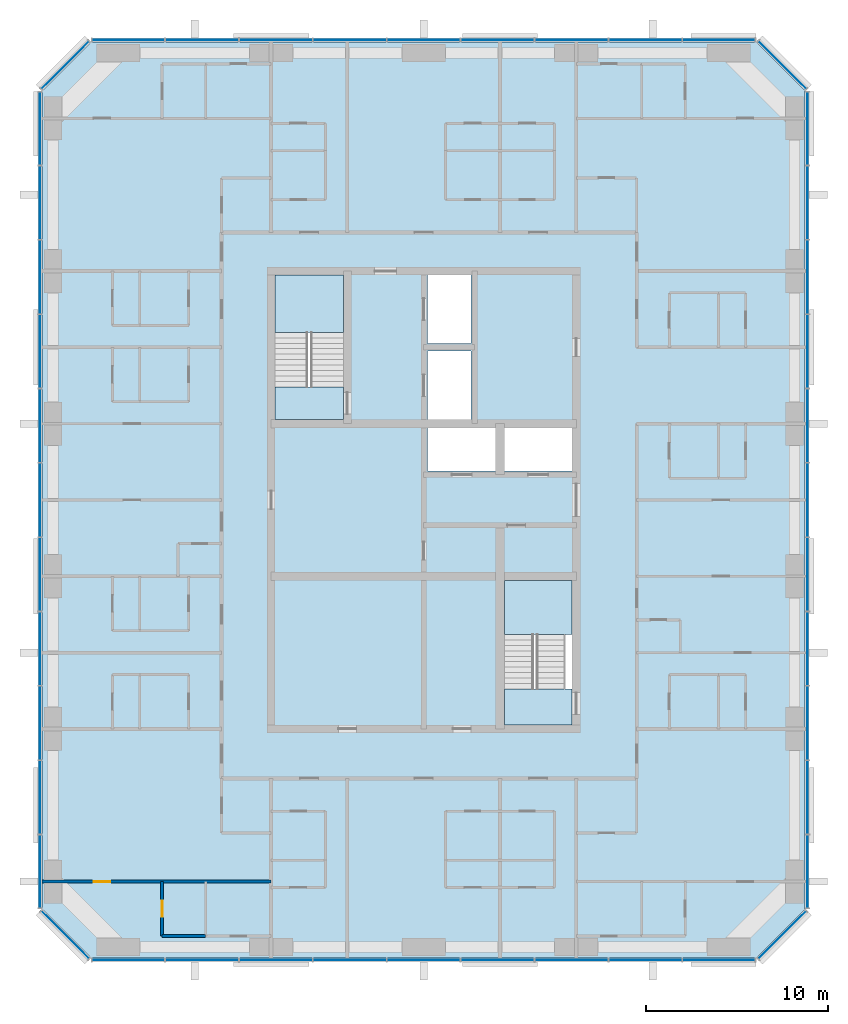
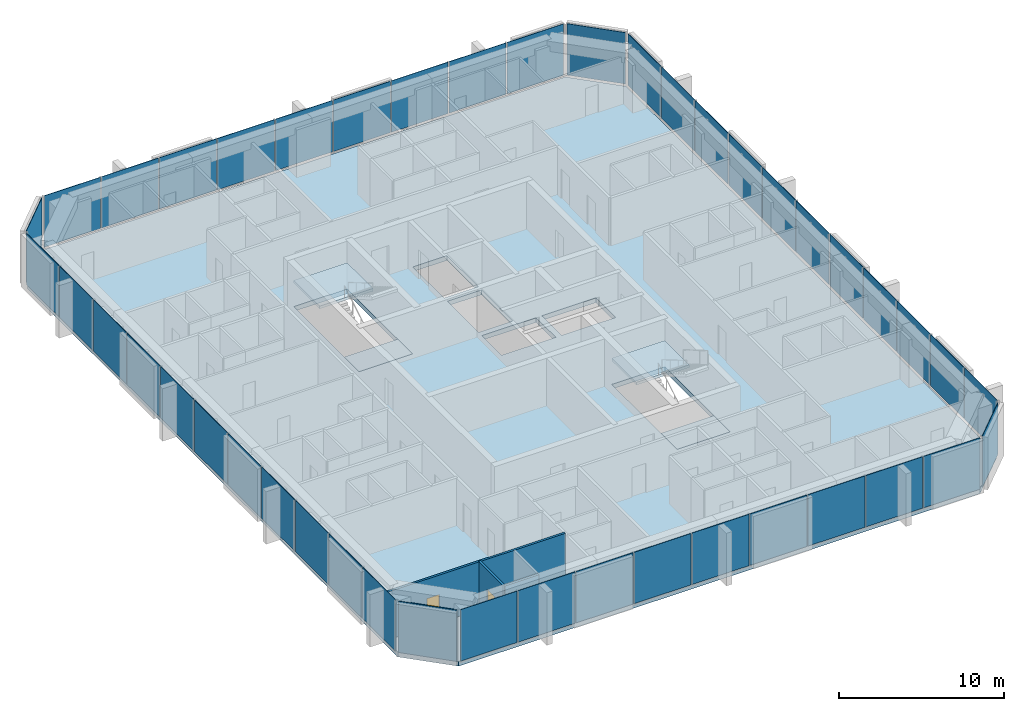
# One storey, part 6 of 12: 44 plates, 5 slabs, 3 walls, 2 doors, 2 openings, 10 elements without a shape of their own.
"""IFC4 building model written with IfcOpenShell, lengths in metres."""

import ifcopenshell
import ifcopenshell.guid

model = None  # the IFC model being written
_history = None  # IfcOwnerHistory: only IFC2X3 demands one
_inside = {}  # id of a spatial element -> (the spatial element, [elements in it])
_under = {}  # id of a project, library or spatial element -> (it, [spatial elements below it])
_declared = {}  # id of a project -> (the project, [libraries it declares])
_typed = {}  # id of a type object -> (the type object, [elements of that type])
_made_of = {}  # id of a material, layer set ... -> (it, [elements and type objects made of it])


def new_model(schema):
    """Start an empty IFC model of exactly this schema.

    Asked for "IFC4X3", IfcOpenShell would pick the latest addendum, in which some entities
    have other attributes; the version numbers below select the first issue.
    IFC2X3 requires an IfcOwnerHistory on every rooted entity: one is made here for all.
    """
    global model, _history
    if schema == "IFC4X3":
        model = ifcopenshell.file(schema_version=(4, 3, 0, 0))
    else:
        model = ifcopenshell.file(schema=schema)
    _inside.clear()
    _under.clear()
    _declared.clear()
    _typed.clear()
    _made_of.clear()
    _history = None
    if model.schema == "IFC2X3":
        org = make("IfcOrganization", Name="unknown")
        user = make(
            "IfcPersonAndOrganization",
            ThePerson=make("IfcPerson", FamilyName="unknown"),
            TheOrganization=org,
        )
        app = make(
            "IfcApplication",
            ApplicationDeveloper=org,
            Version="unknown",
            ApplicationFullName="unknown",
            ApplicationIdentifier="unknown",
        )
        _history = make(
            "IfcOwnerHistory",
            OwningUser=user,
            OwningApplication=app,
            ChangeAction="ADDED",
            CreationDate=0,
        )
    return model


def make(cls, **values):
    """One entity of the class cls with the attributes given. An attribute that is None is left unset."""
    return model.create_entity(
        cls, **{name: value for name, value in values.items() if value is not None}
    )


def rooted(cls, **values):
    """An entity with a GlobalId (a new one), such as an element, a storey or a relation."""
    return make(cls, GlobalId=ifcopenshell.guid.new(), OwnerHistory=_history, **values)


def si_unit(unit_type, name, prefix=None):
    """IfcSIUnit, for example si_unit("LENGTHUNIT", "METRE", prefix="MILLI")."""
    return make("IfcSIUnit", UnitType=unit_type, Prefix=prefix, Name=name)


def assignment(units):
    """IfcUnitAssignment: the units of a project."""
    return None if units is None else make("IfcUnitAssignment", Units=units)


def point(xyz):
    """IfcCartesianPoint."""
    return None if xyz is None else make("IfcCartesianPoint", Coordinates=xyz)


def direction(xyz):
    """IfcDirection."""
    return None if xyz is None else make("IfcDirection", DirectionRatios=xyz)


def frame(location, z_axis=None, x_axis=None):
    """IfcAxis2Placement3D, a coordinate frame: its origin and axes. An axis left out is left unset."""
    return make(
        "IfcAxis2Placement3D",
        Location=point(location),
        Axis=direction(z_axis),
        RefDirection=direction(x_axis),
    )


def frame_2d(location, x_axis=None):
    """IfcAxis2Placement2D, a coordinate frame in the plane: its origin and x axis."""
    return make(
        "IfcAxis2Placement2D", Location=point(location), RefDirection=direction(x_axis)
    )


def origin():
    """The frame at (0, 0, 0) with its axes left unset."""
    return frame((0.0, 0.0, 0.0))


def origin_2d():
    """The frame at (0, 0) in the plane with its x axis left unset."""
    return frame_2d((0.0, 0.0))


def place(relative_to, where):
    """IfcLocalPlacement: puts the frame where relative to a parent placement (None: the world)."""
    return make(
        "IfcLocalPlacement", PlacementRelTo=relative_to, RelativePlacement=where
    )


def context(
    kind, dimensions, precision=None, world=None, true_north=None, identifier=None
):
    """IfcGeometricRepresentationContext, for example the 3D "Model" context."""
    return make(
        "IfcGeometricRepresentationContext",
        ContextIdentifier=identifier,
        ContextType=kind,
        CoordinateSpaceDimension=dimensions,
        Precision=precision,
        WorldCoordinateSystem=world,
        TrueNorth=true_north,
    )


def subcontext(parent, identifier, kind, view, scale=None):
    """IfcGeometricRepresentationSubContext, for example "Body" below "Model"."""
    return make(
        "IfcGeometricRepresentationSubContext",
        ContextIdentifier=identifier,
        ContextType=kind,
        ParentContext=parent,
        TargetScale=scale,
        TargetView=view,
    )


def project(units=None, contexts=None):
    """IfcProject with its units and contexts."""
    return rooted(
        "IfcProject",
        Name="project",
        RepresentationContexts=contexts,
        UnitsInContext=assignment(units),
    )


def spatial(cls, under=None, at=None, **own):
    """A site, building, storey or space (cls), placed at a placement, below another one or the project."""
    s = rooted(cls, ObjectPlacement=at, **own)
    if under is not None:
        _under.setdefault(under.id(), (under, []))[1].append(s)
    return s


def polyline(points):
    """IfcPolyline through the points."""
    return make("IfcPolyline", Points=[point(p) for p in points])


def profile(cls, at=None, kind="AREA", **sizes):
    """A parametric profile (cls). Its sizes go by their IFC names, for example OverallWidth=200.0."""
    return make(cls, ProfileType=kind, Position=at, **sizes)


def rectangle(**sizes):
    """IfcRectangleProfileDef."""
    return profile("IfcRectangleProfileDef", **sizes)


def outline(outer, holes=None, kind="AREA"):
    """IfcArbitraryClosedProfileDef: a profile drawn as a closed curve; with holes, ...WithVoids."""
    if holes is None:
        return make("IfcArbitraryClosedProfileDef", ProfileType=kind, OuterCurve=outer)
    return make(
        "IfcArbitraryProfileDefWithVoids",
        ProfileType=kind,
        OuterCurve=outer,
        InnerCurves=holes,
    )


def extrude(swept, where, along, depth):
    """IfcExtrudedAreaSolid: the profile swept, set in the frame where, extruded along a direction by depth."""
    return make(
        "IfcExtrudedAreaSolid",
        SweptArea=swept,
        Position=where,
        ExtrudedDirection=direction(along),
        Depth=depth,
    )


def shape(context_of_items, identifier, shape_type, items):
    """IfcShapeRepresentation: the items that make up one representation, for example the "Body"."""
    return make(
        "IfcShapeRepresentation",
        ContextOfItems=context_of_items,
        RepresentationIdentifier=identifier,
        RepresentationType=shape_type,
        Items=items,
    )


def material(Name=None, Category=None):
    """IfcMaterial."""
    return make("IfcMaterial", Name=Name, Category=Category)


def layer(
    of_material, thickness, ventilated=None, Name=None, Category=None, Priority=None
):
    """IfcMaterialLayer: one layer of a wall or slab, of a material (None: an air gap)."""
    return make(
        "IfcMaterialLayer",
        Material=of_material,
        LayerThickness=thickness,
        IsVentilated=ventilated,
        Name=Name,
        Category=Category,
        Priority=Priority,
    )


def layer_set(layers, Name=None):
    """IfcMaterialLayerSet."""
    return make("IfcMaterialLayerSet", MaterialLayers=layers, LayerSetName=Name)


def made_of(thing, what):
    """Note that an element or type object is made of a material, layer set ...; save() writes the relation."""
    if what is not None:
        _made_of.setdefault(what.id(), (what, []))[1].append(thing)
    return thing


def type_object(cls, material=None, **own):
    """A type object (cls), such as IfcWallType, which elements share."""
    return made_of(rooted(cls, **own), material)


def element(
    cls,
    number,
    at=None,
    inside=None,
    cuts=None,
    type_object=None,
    material=None,
    context=None,
    identifier="Body",
    shape_type=None,
    held_by="IfcProductDefinitionShape",
    body=None,
    shapes=None,
    **own,
):
    """One element of the class cls, such as IfcWall. Its Tag is "e" and its number.

    at: its placement. inside: the storey or other place that contains it. cuts: it is an
    opening in that element (IfcRelVoidsElement). A single representation is given by context,
    identifier, shape_type and body (its items); several are given by shapes. held_by: the class
    of the entity that holds the representations. save() writes the other relations.
    """
    e = rooted(cls, Tag="e%d" % number, ObjectPlacement=at, **own)
    if body is not None:
        shapes = [shape(context, identifier, shape_type, body)]
    if shapes is not None:
        e.Representation = make(held_by, Representations=shapes)
    if inside is not None:
        _inside.setdefault(inside.id(), (inside, []))[1].append(e)
    if cuts is not None:
        rooted(
            "IfcRelVoidsElement", RelatingBuildingElement=cuts, RelatedOpeningElement=e
        )
    if type_object is not None:
        _typed.setdefault(type_object.id(), (type_object, []))[1].append(e)
    return made_of(e, material)


def fill(opening, filler):
    """IfcRelFillsElement: the door or window that sits in an opening."""
    return rooted(
        "IfcRelFillsElement",
        RelatingOpeningElement=opening,
        RelatedBuildingElement=filler,
    )


def aggregate(whole, parts):
    """IfcRelAggregates: a whole, such as a stair, and the parts it consists of."""
    return rooted("IfcRelAggregates", RelatingObject=whole, RelatedObjects=parts)


def save(model, path):
    """Write the relations noted so far, then the file.

    IfcRelAggregates (storeys below a building ...), IfcRelContainedInSpatialStructure (elements
    in a storey), IfcRelDefinesByType, IfcRelAssociatesMaterial and IfcRelDeclares: one each for
    every whole, place, type object, material and project.
    """
    for whole, parts in _under.values():
        aggregate(whole, parts)
    for where, things in _inside.values():
        rooted(
            "IfcRelContainedInSpatialStructure",
            RelatedElements=things,
            RelatingStructure=where,
        )
    for kind, things in _typed.values():
        rooted("IfcRelDefinesByType", RelatedObjects=things, RelatingType=kind)
    for what, things in _made_of.values():
        rooted("IfcRelAssociatesMaterial", RelatedObjects=things, RelatingMaterial=what)
    for by, libraries in _declared.values():
        rooted("IfcRelDeclares", RelatingContext=by, RelatedDefinitions=libraries)
    model.write(path)


model = new_model("IFC4")

# Units and contexts
model_context = context("Model", 3, precision=1e-05, world=origin(), true_north=direction((0.0, 1.0)))
body_context = subcontext(model_context, "Body", "Model", "MODEL_VIEW")
ifc_project = project(units=[si_unit("LENGTHUNIT", "METRE"), si_unit("AREAUNIT", "SQUARE_METRE"), si_unit("VOLUMEUNIT", "CUBIC_METRE"), si_unit("PLANEANGLEUNIT", "RADIAN"), si_unit("MASSUNIT", "GRAM", prefix="KILO")], contexts=[model_context])

# Site, building, storey
site_placement = place(None, origin())
site = spatial("IfcSite", under=ifc_project, at=site_placement, CompositionType="ELEMENT")
building_placement = place(site_placement, origin())
building = spatial("IfcBuilding", under=site, at=building_placement, Name="Dunama Terrace Hotel", CompositionType="ELEMENT")
storey_placement = place(building_placement, frame((0.0, 0.0, 268.5)))
storey = spatial("IfcBuildingStorey", under=building, at=storey_placement, Name="L69", CompositionType="ELEMENT", Elevation=268.5)

# Curtain wall, plates
ifc_material_1 = material(Name="Aluminium curtain wall system", Category="aluminium")
curtain_wall_type = type_object("IfcCurtainWallType", Name="Unitised fritted glass wall CW-D", PredefinedType="NOTDEFINED", material=ifc_material_1)
curtain_wall_1_placement = place(storey_placement, origin())
curtain_wall_1 = element("IfcCurtainWall", 1, at=curtain_wall_1_placement, inside=storey, type_object=curtain_wall_type, Name="Unitised fritted glass wall CW-D L69", PredefinedType="NOTDEFINED")
ifc_material_2 = material(Name="Laminated glass", Category="glass")
ifc_layer_1 = layer(ifc_material_2, 0.035888671875)
ifc_layer_set_1 = layer_set([ifc_layer_1], Name="CWD clear glass panel")
plate_type_1 = type_object("IfcPlateType", Name="CWD clear glass panel", PredefinedType="CURTAIN_PANEL", material=ifc_layer_set_1)
plate_1_placement = place(storey_placement, frame((17.35107421875, 4.080078125, 0.0849609375), z_axis=(0.0, 0.0, 1.0), x_axis=(1.0, 0.0, 0.0)))
plate_1 = element("IfcPlate", 2, at=plate_1_placement, type_object=plate_type_1, Name="CWD clear glass panel", PredefinedType="CURTAIN_PANEL", context=body_context, shape_type="SweptSolid", body=[
    extrude(rectangle(XDim=3.961669921875, YDim=0.035888671875, at=origin_2d()), origin(), (0.0, 0.0, 1.0), 3.81494140625),
])
plate_2_placement = place(storey_placement, frame((29.532958984375, 4.080078125, 0.0849609375), z_axis=(0.0, 0.0, 1.0), x_axis=(1.0, 0.0, 0.0)))
plate_2 = element("IfcPlate", 3, at=plate_2_placement, type_object=plate_type_1, Name="CWD clear glass panel", PredefinedType="CURTAIN_PANEL", context=body_context, shape_type="SweptSolid", body=[
    extrude(rectangle(XDim=3.99658203125, YDim=0.035888671875, at=origin_2d()), origin(), (0.0, 0.0, 1.0), 3.81494140625),
])
plate_3_placement = place(storey_placement, frame((41.73291015625, 4.080078125, 0.0849609375), z_axis=(0.0, 0.0, 1.0), x_axis=(1.0, 0.0, 0.0)))
plate_3 = element("IfcPlate", 4, at=plate_3_placement, type_object=plate_type_1, Name="CWD clear glass panel", PredefinedType="CURTAIN_PANEL", context=body_context, shape_type="SweptSolid", body=[
    extrude(rectangle(XDim=3.99658203125, YDim=0.035888671875, at=origin_2d()), origin(), (0.0, 0.0, 1.0), 3.81494140625),
])

# Curtain wall, plate
curtain_wall_2_placement = place(storey_placement, origin())
curtain_wall_2 = element("IfcCurtainWall", 5, at=curtain_wall_2_placement, inside=storey, type_object=curtain_wall_type, Name="Unitised fritted glass wall CW-D L69", PredefinedType="NOTDEFINED")
plate_4_placement = place(storey_placement, frame((53.3349609375, 5.465087890625, 0.0849609375), z_axis=(0.0, 0.0, 1.0), x_axis=(0.707106781187, 0.707106781187, 0.0)))
plate_4 = element("IfcPlate", 6, at=plate_4_placement, type_object=plate_type_1, Name="CWD clear glass panel", PredefinedType="CURTAIN_PANEL", context=body_context, shape_type="SweptSolid", body=[
    extrude(rectangle(XDim=3.678466796875, YDim=0.035888671875, at=origin_2d()), origin(), (0.0, 0.0, 1.0), 3.81494140625),
])
aggregate(curtain_wall_2, [plate_4])

# Curtain wall, plates
curtain_wall_3_placement = place(storey_placement, origin())
curtain_wall_3 = element("IfcCurtainWall", 7, at=curtain_wall_3_placement, inside=storey, type_object=curtain_wall_type, Name="Unitised fritted glass wall CW-D L69", PredefinedType="NOTDEFINED")
plate_5_placement = place(storey_placement, frame((54.719970703125, 17.126953125, 0.0849609375), z_axis=(0.0, 0.0, 1.0), x_axis=(0.0, 1.0, 0.0)))
plate_5 = element("IfcPlate", 8, at=plate_5_placement, type_object=plate_type_1, Name="CWD clear glass panel", PredefinedType="CURTAIN_PANEL", context=body_context, shape_type="SweptSolid", body=[
    extrude(rectangle(XDim=4.02099609375, YDim=0.035888671875, at=origin_2d()), origin(), (0.0, 0.0, 1.0), 3.81494140625),
])
plate_6_placement = place(storey_placement, frame((54.719970703125, 29.39990234375, 0.0849609375), z_axis=(0.0, 0.0, 1.0), x_axis=(0.0, 1.0, 0.0)))
plate_6 = element("IfcPlate", 9, at=plate_6_placement, type_object=plate_type_1, Name="CWD clear glass panel", PredefinedType="CURTAIN_PANEL", context=body_context, shape_type="SweptSolid", body=[
    extrude(rectangle(XDim=4.02099609375, YDim=0.035888671875, at=origin_2d()), origin(), (0.0, 0.0, 1.0), 3.81494140625),
])
plate_7_placement = place(storey_placement, frame((54.719970703125, 41.673095703125, 0.0849609375), z_axis=(0.0, 0.0, 1.0), x_axis=(0.0, 1.0, 0.0)))
plate_7 = element("IfcPlate", 10, at=plate_7_placement, type_object=plate_type_1, Name="CWD clear glass panel", PredefinedType="CURTAIN_PANEL", context=body_context, shape_type="SweptSolid", body=[
    extrude(rectangle(XDim=4.02099609375, YDim=0.035888671875, at=origin_2d()), origin(), (0.0, 0.0, 1.0), 3.81494140625),
])

# Curtain wall, plate
curtain_wall_4_placement = place(storey_placement, origin())
curtain_wall_4 = element("IfcCurtainWall", 11, at=curtain_wall_4_placement, inside=storey, type_object=curtain_wall_type, Name="Unitised fritted glass wall CW-D L69", PredefinedType="NOTDEFINED")
plate_8_placement = place(storey_placement, frame((53.3349609375, 53.3349609375, 0.0849609375), z_axis=(0.0, 0.0, 1.0), x_axis=(-0.707106781187, 0.707106781187, 0.0)))
plate_8 = element("IfcPlate", 12, at=plate_8_placement, type_object=plate_type_1, Name="CWD clear glass panel", PredefinedType="CURTAIN_PANEL", context=body_context, shape_type="SweptSolid", body=[
    extrude(rectangle(XDim=3.678466796875, YDim=0.035888671875, at=origin_2d()), origin(), (0.0, 0.0, 1.0), 3.81494140625),
])
aggregate(curtain_wall_4, [plate_8])

# Curtain wall, plates
curtain_wall_5_placement = place(storey_placement, origin())
curtain_wall_5 = element("IfcCurtainWall", 13, at=curtain_wall_5_placement, inside=storey, type_object=curtain_wall_type, Name="Unitised fritted glass wall CW-D L69", PredefinedType="NOTDEFINED")
plate_9_placement = place(storey_placement, frame((41.73291015625, 54.719970703125, 0.0849609375), z_axis=(0.0, 0.0, 1.0), x_axis=(-1.0, 0.0, 0.0)))
plate_9 = element("IfcPlate", 14, at=plate_9_placement, type_object=plate_type_1, Name="CWD clear glass panel", PredefinedType="CURTAIN_PANEL", context=body_context, shape_type="SweptSolid", body=[
    extrude(rectangle(XDim=3.99658203125, YDim=0.035888671875, at=origin_2d()), origin(), (0.0, 0.0, 1.0), 3.81494140625),
])
plate_10_placement = place(storey_placement, frame((29.532958984375, 54.719970703125, 0.0849609375), z_axis=(0.0, 0.0, 1.0), x_axis=(-1.0, 0.0, 0.0)))
plate_10 = element("IfcPlate", 15, at=plate_10_placement, type_object=plate_type_1, Name="CWD clear glass panel", PredefinedType="CURTAIN_PANEL", context=body_context, shape_type="SweptSolid", body=[
    extrude(rectangle(XDim=3.99658203125, YDim=0.035888671875, at=origin_2d()), origin(), (0.0, 0.0, 1.0), 3.81494140625),
])
plate_11_placement = place(storey_placement, frame((17.35107421875, 54.719970703125, 0.0849609375), z_axis=(0.0, 0.0, 1.0), x_axis=(-1.0, 0.0, 0.0)))
plate_11 = element("IfcPlate", 16, at=plate_11_placement, type_object=plate_type_1, Name="CWD clear glass panel", PredefinedType="CURTAIN_PANEL", context=body_context, shape_type="SweptSolid", body=[
    extrude(rectangle(XDim=3.961669921875, YDim=0.035888671875, at=origin_2d()), origin(), (0.0, 0.0, 1.0), 3.81494140625),
])

curtain_wall_6_placement = place(storey_placement, origin())
curtain_wall_6 = element("IfcCurtainWall", 17, at=curtain_wall_6_placement, inside=storey, type_object=curtain_wall_type, Name="Unitised fritted glass wall CW-D L69", PredefinedType="NOTDEFINED")
plate_12_placement = place(storey_placement, frame((12.47998046875, 45.763916015625, 0.0849609375), z_axis=(0.0, 0.0, 1.0), x_axis=(0.0, -1.0, 0.0)))
plate_12 = element("IfcPlate", 18, at=plate_12_placement, type_object=plate_type_1, Name="CWD clear glass panel", PredefinedType="CURTAIN_PANEL", context=body_context, shape_type="SweptSolid", body=[
    extrude(rectangle(XDim=4.02099609375, YDim=0.035888671875, at=origin_2d()), origin(), (0.0, 0.0, 1.0), 3.81494140625),
])
plate_13_placement = place(storey_placement, frame((12.47998046875, 33.490966796875, 0.0849609375), z_axis=(0.0, 0.0, 1.0), x_axis=(0.0, -1.0, 0.0)))
plate_13 = element("IfcPlate", 19, at=plate_13_placement, type_object=plate_type_1, Name="CWD clear glass panel", PredefinedType="CURTAIN_PANEL", context=body_context, shape_type="SweptSolid", body=[
    extrude(rectangle(XDim=4.02099609375, YDim=0.035888671875, at=origin_2d()), origin(), (0.0, 0.0, 1.0), 3.81494140625),
])
plate_14_placement = place(storey_placement, frame((12.47998046875, 21.218017578125, 0.0849609375), z_axis=(0.0, 0.0, 1.0), x_axis=(0.0, -1.0, 0.0)))
plate_14 = element("IfcPlate", 20, at=plate_14_placement, type_object=plate_type_1, Name="CWD clear glass panel", PredefinedType="CURTAIN_PANEL", context=body_context, shape_type="SweptSolid", body=[
    extrude(rectangle(XDim=4.02099609375, YDim=0.035888671875, at=origin_2d()), origin(), (0.0, 0.0, 1.0), 3.81494140625),
])
plate_15_placement = place(storey_placement, frame((12.47998046875, 8.962890625, 0.0849609375), z_axis=(0.0, 0.0, 1.0), x_axis=(0.0, -1.0, 0.0)))
plate_15 = element("IfcPlate", 21, at=plate_15_placement, type_object=plate_type_1, Name="CWD clear glass panel", PredefinedType="CURTAIN_PANEL", context=body_context, shape_type="SweptSolid", body=[
    extrude(rectangle(XDim=3.98583984375, YDim=0.035888671875, at=origin_2d()), origin(), (0.0, 0.0, 1.0), 3.81494140625),
])

# Plate
ifc_material_3 = material(Name="Fritted laminated glass", Category="glass")
ifc_layer_2 = layer(ifc_material_3, 0.035888671875)
ifc_layer_set_2 = layer_set([ifc_layer_2], Name="CWD fritted glass panel")
plate_type_2 = type_object("IfcPlateType", Name="CWD fritted glass panel", PredefinedType="CURTAIN_PANEL", material=ifc_layer_set_2)
plate_16_placement = place(storey_placement, frame((25.467041015625, 4.080078125, 0.0849609375), z_axis=(0.0, 0.0, 1.0), x_axis=(1.0, 0.0, 0.0)))
plate_16 = element("IfcPlate", 22, at=plate_16_placement, type_object=plate_type_2, Name="CWD fritted glass panel", PredefinedType="CURTAIN_PANEL", context=body_context, shape_type="SweptSolid", body=[
    extrude(rectangle(XDim=3.99658203125, YDim=0.035888671875, at=origin_2d()), origin(), (0.0, 0.0, 1.0), 3.81494140625),
])

plate_17_placement = place(storey_placement, frame((37.6669921875, 4.080078125, 0.0849609375), z_axis=(0.0, 0.0, 1.0), x_axis=(1.0, 0.0, 0.0)))
plate_17 = element("IfcPlate", 23, at=plate_17_placement, type_object=plate_type_2, Name="CWD fritted glass panel", PredefinedType="CURTAIN_PANEL", context=body_context, shape_type="SweptSolid", body=[
    extrude(rectangle(XDim=3.99658203125, YDim=0.035888671875, at=origin_2d()), origin(), (0.0, 0.0, 1.0), 3.81494140625),
])

plate_18_placement = place(storey_placement, frame((49.84912109375, 4.080078125, 0.0849609375), z_axis=(0.0, 0.0, 1.0), x_axis=(1.0, 0.0, 0.0)))
plate_18 = element("IfcPlate", 24, at=plate_18_placement, type_object=plate_type_2, Name="CWD fritted glass panel", PredefinedType="CURTAIN_PANEL", context=body_context, shape_type="SweptSolid", body=[
    extrude(rectangle(XDim=3.961669921875, YDim=0.035888671875, at=origin_2d()), origin(), (0.0, 0.0, 1.0), 3.81494140625),
])

plate_19_placement = place(storey_placement, frame((54.719970703125, 13.035888671875, 0.0849609375), z_axis=(0.0, 0.0, 1.0), x_axis=(0.0, 1.0, 0.0)))
plate_19 = element("IfcPlate", 25, at=plate_19_placement, type_object=plate_type_2, Name="CWD fritted glass panel", PredefinedType="CURTAIN_PANEL", context=body_context, shape_type="SweptSolid", body=[
    extrude(rectangle(XDim=4.02099609375, YDim=0.035888671875, at=origin_2d()), origin(), (0.0, 0.0, 1.0), 3.81494140625),
])

plate_20_placement = place(storey_placement, frame((54.719970703125, 25.30908203125, 0.0849609375), z_axis=(0.0, 0.0, 1.0), x_axis=(0.0, 1.0, 0.0)))
plate_20 = element("IfcPlate", 26, at=plate_20_placement, type_object=plate_type_2, Name="CWD fritted glass panel", PredefinedType="CURTAIN_PANEL", context=body_context, shape_type="SweptSolid", body=[
    extrude(rectangle(XDim=4.02099609375, YDim=0.035888671875, at=origin_2d()), origin(), (0.0, 0.0, 1.0), 3.81494140625),
])

plate_21_placement = place(storey_placement, frame((54.719970703125, 37.58203125, 0.0849609375), z_axis=(0.0, 0.0, 1.0), x_axis=(0.0, 1.0, 0.0)))
plate_21 = element("IfcPlate", 27, at=plate_21_placement, type_object=plate_type_2, Name="CWD fritted glass panel", PredefinedType="CURTAIN_PANEL", context=body_context, shape_type="SweptSolid", body=[
    extrude(rectangle(XDim=4.02099609375, YDim=0.035888671875, at=origin_2d()), origin(), (0.0, 0.0, 1.0), 3.81494140625),
])

plate_22_placement = place(storey_placement, frame((54.719970703125, 49.8369140625, 0.0849609375), z_axis=(0.0, 0.0, 1.0), x_axis=(0.0, 1.0, 0.0)))
plate_22 = element("IfcPlate", 28, at=plate_22_placement, type_object=plate_type_2, Name="CWD fritted glass panel", PredefinedType="CURTAIN_PANEL", context=body_context, shape_type="SweptSolid", body=[
    extrude(rectangle(XDim=3.98583984375, YDim=0.035888671875, at=origin_2d()), origin(), (0.0, 0.0, 1.0), 3.81494140625),
])

plate_23_placement = place(storey_placement, frame((45.800048828125, 54.719970703125, 0.0849609375), z_axis=(0.0, 0.0, 1.0), x_axis=(-1.0, 0.0, 0.0)))
plate_23 = element("IfcPlate", 29, at=plate_23_placement, type_object=plate_type_2, Name="CWD fritted glass panel", PredefinedType="CURTAIN_PANEL", context=body_context, shape_type="SweptSolid", body=[
    extrude(rectangle(XDim=3.99658203125, YDim=0.035888671875, at=origin_2d()), origin(), (0.0, 0.0, 1.0), 3.81494140625),
])

plate_24_placement = place(storey_placement, frame((33.60009765625, 54.719970703125, 0.0849609375), z_axis=(0.0, 0.0, 1.0), x_axis=(-1.0, 0.0, 0.0)))
plate_24 = element("IfcPlate", 30, at=plate_24_placement, type_object=plate_type_2, Name="CWD fritted glass panel", PredefinedType="CURTAIN_PANEL", context=body_context, shape_type="SweptSolid", body=[
    extrude(rectangle(XDim=3.99658203125, YDim=0.035888671875, at=origin_2d()), origin(), (0.0, 0.0, 1.0), 3.81494140625),
])

plate_25_placement = place(storey_placement, frame((21.39990234375, 54.719970703125, 0.0849609375), z_axis=(0.0, 0.0, 1.0), x_axis=(-1.0, 0.0, 0.0)))
plate_25 = element("IfcPlate", 31, at=plate_25_placement, type_object=plate_type_2, Name="CWD fritted glass panel", PredefinedType="CURTAIN_PANEL", context=body_context, shape_type="SweptSolid", body=[
    extrude(rectangle(XDim=3.99658203125, YDim=0.035888671875, at=origin_2d()), origin(), (0.0, 0.0, 1.0), 3.81494140625),
])

plate_26_placement = place(storey_placement, frame((12.47998046875, 49.8369140625, 0.0849609375), z_axis=(0.0, 0.0, 1.0), x_axis=(0.0, -1.0, 0.0)))
plate_26 = element("IfcPlate", 32, at=plate_26_placement, type_object=plate_type_2, Name="CWD fritted glass panel", PredefinedType="CURTAIN_PANEL", context=body_context, shape_type="SweptSolid", body=[
    extrude(rectangle(XDim=3.98583984375, YDim=0.035888671875, at=origin_2d()), origin(), (0.0, 0.0, 1.0), 3.81494140625),
])

plate_27_placement = place(storey_placement, frame((12.47998046875, 37.58203125, 0.0849609375), z_axis=(0.0, 0.0, 1.0), x_axis=(0.0, -1.0, 0.0)))
plate_27 = element("IfcPlate", 33, at=plate_27_placement, type_object=plate_type_2, Name="CWD fritted glass panel", PredefinedType="CURTAIN_PANEL", context=body_context, shape_type="SweptSolid", body=[
    extrude(rectangle(XDim=4.02099609375, YDim=0.035888671875, at=origin_2d()), origin(), (0.0, 0.0, 1.0), 3.81494140625),
])

plate_28_placement = place(storey_placement, frame((12.47998046875, 25.30908203125, 0.0849609375), z_axis=(0.0, 0.0, 1.0), x_axis=(0.0, -1.0, 0.0)))
plate_28 = element("IfcPlate", 34, at=plate_28_placement, type_object=plate_type_2, Name="CWD fritted glass panel", PredefinedType="CURTAIN_PANEL", context=body_context, shape_type="SweptSolid", body=[
    extrude(rectangle(XDim=4.02099609375, YDim=0.035888671875, at=origin_2d()), origin(), (0.0, 0.0, 1.0), 3.81494140625),
])

plate_29_placement = place(storey_placement, frame((12.47998046875, 13.035888671875, 0.0849609375), z_axis=(0.0, 0.0, 1.0), x_axis=(0.0, -1.0, 0.0)))
plate_29 = element("IfcPlate", 35, at=plate_29_placement, type_object=plate_type_2, Name="CWD fritted glass panel", PredefinedType="CURTAIN_PANEL", context=body_context, shape_type="SweptSolid", body=[
    extrude(rectangle(XDim=4.02099609375, YDim=0.035888671875, at=origin_2d()), origin(), (0.0, 0.0, 1.0), 3.81494140625),
])

ifc_material_4 = material(Name="Laminated glass", Category="glass")
ifc_layer_3 = layer(ifc_material_4, 0.035888671875)
ifc_layer_set_3 = layer_set([ifc_layer_3], Name="CWD operable glass panel")
plate_type_3 = type_object("IfcPlateType", Name="CWD operable glass panel", PredefinedType="CURTAIN_PANEL", material=ifc_layer_set_3)
plate_30_placement = place(storey_placement, frame((21.39990234375, 4.080078125, 0.0849609375), z_axis=(0.0, 0.0, 1.0), x_axis=(1.0, 0.0, 0.0)))
plate_30 = element("IfcPlate", 36, at=plate_30_placement, type_object=plate_type_3, Name="CWD operable glass panel", PredefinedType="CURTAIN_PANEL", context=body_context, shape_type="SweptSolid", body=[
    extrude(rectangle(XDim=3.99658203125, YDim=0.035888671875, at=origin_2d()), origin(), (0.0, 0.0, 1.0), 3.81494140625),
])

plate_31_placement = place(storey_placement, frame((33.60009765625, 4.080078125, 0.0849609375), z_axis=(0.0, 0.0, 1.0), x_axis=(1.0, 0.0, 0.0)))
plate_31 = element("IfcPlate", 37, at=plate_31_placement, type_object=plate_type_3, Name="CWD operable glass panel", PredefinedType="CURTAIN_PANEL", context=body_context, shape_type="SweptSolid", body=[
    extrude(rectangle(XDim=3.99658203125, YDim=0.035888671875, at=origin_2d()), origin(), (0.0, 0.0, 1.0), 3.81494140625),
])

plate_32_placement = place(storey_placement, frame((45.800048828125, 4.080078125, 0.0849609375), z_axis=(0.0, 0.0, 1.0), x_axis=(1.0, 0.0, 0.0)))
plate_32 = element("IfcPlate", 38, at=plate_32_placement, type_object=plate_type_3, Name="CWD operable glass panel", PredefinedType="CURTAIN_PANEL", context=body_context, shape_type="SweptSolid", body=[
    extrude(rectangle(XDim=3.99658203125, YDim=0.035888671875, at=origin_2d()), origin(), (0.0, 0.0, 1.0), 3.81494140625),
])

aggregate(curtain_wall_1, [plate_1, plate_30, plate_16, plate_2, plate_31, plate_17, plate_3, plate_32, plate_18])

plate_33_placement = place(storey_placement, frame((54.719970703125, 8.962890625, 0.0849609375), z_axis=(0.0, 0.0, 1.0), x_axis=(0.0, 1.0, 0.0)))
plate_33 = element("IfcPlate", 39, at=plate_33_placement, type_object=plate_type_3, Name="CWD operable glass panel", PredefinedType="CURTAIN_PANEL", context=body_context, shape_type="SweptSolid", body=[
    extrude(rectangle(XDim=3.98583984375, YDim=0.035888671875, at=origin_2d()), origin(), (0.0, 0.0, 1.0), 3.81494140625),
])

plate_34_placement = place(storey_placement, frame((54.719970703125, 21.218017578125, 0.0849609375), z_axis=(0.0, 0.0, 1.0), x_axis=(0.0, 1.0, 0.0)))
plate_34 = element("IfcPlate", 40, at=plate_34_placement, type_object=plate_type_3, Name="CWD operable glass panel", PredefinedType="CURTAIN_PANEL", context=body_context, shape_type="SweptSolid", body=[
    extrude(rectangle(XDim=4.02099609375, YDim=0.035888671875, at=origin_2d()), origin(), (0.0, 0.0, 1.0), 3.81494140625),
])

plate_35_placement = place(storey_placement, frame((54.719970703125, 33.490966796875, 0.0849609375), z_axis=(0.0, 0.0, 1.0), x_axis=(0.0, 1.0, 0.0)))
plate_35 = element("IfcPlate", 41, at=plate_35_placement, type_object=plate_type_3, Name="CWD operable glass panel", PredefinedType="CURTAIN_PANEL", context=body_context, shape_type="SweptSolid", body=[
    extrude(rectangle(XDim=4.02099609375, YDim=0.035888671875, at=origin_2d()), origin(), (0.0, 0.0, 1.0), 3.81494140625),
])

plate_36_placement = place(storey_placement, frame((54.719970703125, 45.763916015625, 0.0849609375), z_axis=(0.0, 0.0, 1.0), x_axis=(0.0, 1.0, 0.0)))
plate_36 = element("IfcPlate", 42, at=plate_36_placement, type_object=plate_type_3, Name="CWD operable glass panel", PredefinedType="CURTAIN_PANEL", context=body_context, shape_type="SweptSolid", body=[
    extrude(rectangle(XDim=4.02099609375, YDim=0.035888671875, at=origin_2d()), origin(), (0.0, 0.0, 1.0), 3.81494140625),
])

aggregate(curtain_wall_3, [plate_33, plate_19, plate_5, plate_34, plate_20, plate_6, plate_35, plate_21, plate_7, plate_36, plate_22])

plate_37_placement = place(storey_placement, frame((49.84912109375, 54.719970703125, 0.0849609375), z_axis=(0.0, 0.0, 1.0), x_axis=(-1.0, 0.0, 0.0)))
plate_37 = element("IfcPlate", 43, at=plate_37_placement, type_object=plate_type_3, Name="CWD operable glass panel", PredefinedType="CURTAIN_PANEL", context=body_context, shape_type="SweptSolid", body=[
    extrude(rectangle(XDim=3.961669921875, YDim=0.035888671875, at=origin_2d()), origin(), (0.0, 0.0, 1.0), 3.81494140625),
])

plate_38_placement = place(storey_placement, frame((37.6669921875, 54.719970703125, 0.0849609375), z_axis=(0.0, 0.0, 1.0), x_axis=(-1.0, 0.0, 0.0)))
plate_38 = element("IfcPlate", 44, at=plate_38_placement, type_object=plate_type_3, Name="CWD operable glass panel", PredefinedType="CURTAIN_PANEL", context=body_context, shape_type="SweptSolid", body=[
    extrude(rectangle(XDim=3.99658203125, YDim=0.035888671875, at=origin_2d()), origin(), (0.0, 0.0, 1.0), 3.81494140625),
])

plate_39_placement = place(storey_placement, frame((25.467041015625, 54.719970703125, 0.0849609375), z_axis=(0.0, 0.0, 1.0), x_axis=(-1.0, 0.0, 0.0)))
plate_39 = element("IfcPlate", 45, at=plate_39_placement, type_object=plate_type_3, Name="CWD operable glass panel", PredefinedType="CURTAIN_PANEL", context=body_context, shape_type="SweptSolid", body=[
    extrude(rectangle(XDim=3.99658203125, YDim=0.035888671875, at=origin_2d()), origin(), (0.0, 0.0, 1.0), 3.81494140625),
])

aggregate(curtain_wall_5, [plate_37, plate_23, plate_9, plate_38, plate_24, plate_10, plate_39, plate_25, plate_11])

# Curtain wall, plate
curtain_wall_7_placement = place(storey_placement, origin())
curtain_wall_7 = element("IfcCurtainWall", 46, at=curtain_wall_7_placement, inside=storey, type_object=curtain_wall_type, Name="Unitised fritted glass wall CW-D L69", PredefinedType="NOTDEFINED")
plate_40_placement = place(storey_placement, frame((13.864990234375, 53.3349609375, 0.0849609375), z_axis=(0.0, 0.0, 1.0), x_axis=(-0.707106781187, -0.707106781187, 0.0)))
plate_40 = element("IfcPlate", 47, at=plate_40_placement, type_object=plate_type_3, Name="CWD operable glass panel", PredefinedType="CURTAIN_PANEL", context=body_context, shape_type="SweptSolid", body=[
    extrude(rectangle(XDim=3.678466796875, YDim=0.035888671875, at=origin_2d()), origin(), (0.0, 0.0, 1.0), 3.81494140625),
])
aggregate(curtain_wall_7, [plate_40])

# Plate
plate_41_placement = place(storey_placement, frame((12.47998046875, 41.673095703125, 0.0849609375), z_axis=(0.0, 0.0, 1.0), x_axis=(0.0, -1.0, 0.0)))
plate_41 = element("IfcPlate", 48, at=plate_41_placement, type_object=plate_type_3, Name="CWD operable glass panel", PredefinedType="CURTAIN_PANEL", context=body_context, shape_type="SweptSolid", body=[
    extrude(rectangle(XDim=4.02099609375, YDim=0.035888671875, at=origin_2d()), origin(), (0.0, 0.0, 1.0), 3.81494140625),
])

plate_42_placement = place(storey_placement, frame((12.47998046875, 29.39990234375, 0.0849609375), z_axis=(0.0, 0.0, 1.0), x_axis=(0.0, -1.0, 0.0)))
plate_42 = element("IfcPlate", 49, at=plate_42_placement, type_object=plate_type_3, Name="CWD operable glass panel", PredefinedType="CURTAIN_PANEL", context=body_context, shape_type="SweptSolid", body=[
    extrude(rectangle(XDim=4.02099609375, YDim=0.035888671875, at=origin_2d()), origin(), (0.0, 0.0, 1.0), 3.81494140625),
])

plate_43_placement = place(storey_placement, frame((12.47998046875, 17.126953125, 0.0849609375), z_axis=(0.0, 0.0, 1.0), x_axis=(0.0, -1.0, 0.0)))
plate_43 = element("IfcPlate", 50, at=plate_43_placement, type_object=plate_type_3, Name="CWD operable glass panel", PredefinedType="CURTAIN_PANEL", context=body_context, shape_type="SweptSolid", body=[
    extrude(rectangle(XDim=4.02099609375, YDim=0.035888671875, at=origin_2d()), origin(), (0.0, 0.0, 1.0), 3.81494140625),
])

aggregate(curtain_wall_6, [plate_26, plate_12, plate_41, plate_27, plate_13, plate_42, plate_28, plate_14, plate_43, plate_29, plate_15])

# Curtain wall, plate
curtain_wall_8_placement = place(storey_placement, origin())
curtain_wall_8 = element("IfcCurtainWall", 51, at=curtain_wall_8_placement, inside=storey, type_object=curtain_wall_type, Name="Unitised fritted glass wall CW-D L69", PredefinedType="NOTDEFINED")
plate_44_placement = place(storey_placement, frame((13.864990234375, 5.465087890625, 0.0849609375), z_axis=(0.0, 0.0, 1.0), x_axis=(0.707106781187, -0.707106781187, 0.0)))
plate_44 = element("IfcPlate", 52, at=plate_44_placement, type_object=plate_type_3, Name="CWD operable glass panel", PredefinedType="CURTAIN_PANEL", context=body_context, shape_type="SweptSolid", body=[
    extrude(rectangle(XDim=3.678466796875, YDim=0.035888671875, at=origin_2d()), origin(), (0.0, 0.0, 1.0), 3.81494140625),
])
aggregate(curtain_wall_8, [plate_44])

# Slab
ifc_material_5 = material(Name="Concrete C40/50", Category="concrete")
ifc_layer_4 = layer(ifc_material_5, 0.35009765625)
ifc_layer_set_4 = layer_set([ifc_layer_4], Name="Flat plate 350")
slab_type_1 = type_object("IfcSlabType", Name="Flat plate 350", PredefinedType="FLOOR", material=ifc_layer_set_4)
slab_1_placement = place(storey_placement, frame((0.0, 0.0, -0.35009765625)))
element("IfcSlab", 53, at=slab_1_placement, inside=storey, type_object=slab_type_1, Name="Floor slab L69", PredefinedType="FLOOR", context=body_context, shape_type="SweptSolid", body=[
    extrude(outline(polyline([(15.300048828125, 4.199951171875), (51.89990234375, 4.199951171875), (54.60009765625, 6.89990234375), (54.60009765625, 51.89990234375), (51.89990234375, 54.60009765625), (15.300048828125, 54.60009765625), (12.60009765625, 51.89990234375), (12.60009765625, 6.89990234375), (15.300048828125, 4.199951171875)]), holes=[polyline([(37.60009765625, 31.0), (37.60009765625, 33.39990234375), (33.800048828125, 33.39990234375), (33.800048828125, 31.0), (37.60009765625, 31.0)]), polyline([(41.800048828125, 31.0), (41.800048828125, 33.39990234375), (38.0, 33.39990234375), (38.0, 31.0), (41.800048828125, 31.0)]), polyline([(36.199951171875, 38.0), (36.199951171875, 41.800048828125), (33.800048828125, 41.800048828125), (33.800048828125, 38.0), (36.199951171875, 38.0)]), polyline([(36.199951171875, 33.800048828125), (36.199951171875, 37.60009765625), (33.800048828125, 37.60009765625), (33.800048828125, 33.800048828125), (36.199951171875, 33.800048828125)]), polyline([(29.175048828125, 33.824951171875), (29.175048828125, 41.77490234375), (25.425048828125, 41.77490234375), (25.425048828125, 33.824951171875), (29.175048828125, 33.824951171875)]), polyline([(41.77490234375, 17.02490234375), (41.77490234375, 24.97509765625), (38.050048828125, 24.97509765625), (38.050048828125, 17.02490234375), (41.77490234375, 17.02490234375)])]), origin(), (0.0, 0.0, 1.0), 0.35009765625),
])

# Stair, slabs
ifc_material_6 = material(Name="Concrete C40/50", Category="concrete")
stair_type_1 = type_object("IfcStairType", Name="Stair ST1-3900-1800", PredefinedType="HALF_TURN_STAIR", material=ifc_material_6)
stair_1_placement = place(storey_placement, origin())
stair_1 = element("IfcStair", 54, at=stair_1_placement, inside=storey, type_object=stair_type_1, Name="Stair ST1 L69", PredefinedType="HALF_TURN_STAIR")
ifc_material_7 = material(Name="Concrete C40/50", Category="concrete")
ifc_layer_5 = layer(ifc_material_7, 0.199951171875)
ifc_layer_set_5 = layer_set([ifc_layer_5], Name="Stair landing 200")
slab_type_2 = type_object("IfcSlabType", Name="Stair landing 200", PredefinedType="LANDING", material=ifc_layer_set_5)
slab_2_placement = place(storey_placement, frame((0.0, 0.0, -0.199951171875)))
slab_2 = element("IfcSlab", 55, at=slab_2_placement, type_object=slab_type_2, Name="ST1 landing 1, type S10", PredefinedType="LANDING", context=body_context, shape_type="SweptSolid", body=[
    extrude(outline(polyline([(25.425048828125, 33.824951171875), (29.175048828125, 33.824951171875), (29.175048828125, 35.625), (25.425048828125, 35.625), (25.425048828125, 33.824951171875)])), origin(), (0.0, 0.0, 1.0), 0.199951171875),
])
slab_3_placement = place(storey_placement, frame((0.0, 0.0, 1.75)))
slab_3 = element("IfcSlab", 56, at=slab_3_placement, type_object=slab_type_2, Name="ST1 landing 2, type S10", PredefinedType="LANDING", context=body_context, shape_type="SweptSolid", body=[
    extrude(outline(polyline([(25.425048828125, 38.625), (29.175048828125, 38.625), (29.175048828125, 41.77490234375), (25.425048828125, 41.77490234375), (25.425048828125, 38.625)])), origin(), (0.0, 0.0, 1.0), 0.199951171875),
])
aggregate(stair_1, [slab_2, slab_3])

ifc_material_8 = material(Name="Concrete C40/50", Category="concrete")
stair_type_2 = type_object("IfcStairType", Name="Stair ST2-3900-1600", PredefinedType="HALF_TURN_STAIR", material=ifc_material_8)
stair_2_placement = place(storey_placement, origin())
stair_2 = element("IfcStair", 57, at=stair_2_placement, inside=storey, type_object=stair_type_2, Name="Stair ST2 L69", PredefinedType="HALF_TURN_STAIR")
slab_4_placement = place(storey_placement, frame((0.0, 0.0, -0.199951171875)))
slab_4 = element("IfcSlab", 58, at=slab_4_placement, type_object=slab_type_2, Name="ST2 landing 1, type S10", PredefinedType="LANDING", context=body_context, shape_type="SweptSolid", body=[
    extrude(outline(polyline([(38.050048828125, 17.02490234375), (41.77490234375, 17.02490234375), (41.77490234375, 19.0), (38.050048828125, 19.0), (38.050048828125, 17.02490234375)])), origin(), (0.0, 0.0, 1.0), 0.199951171875),
])
slab_5_placement = place(storey_placement, frame((0.0, 0.0, 1.75)))
slab_5 = element("IfcSlab", 59, at=slab_5_placement, type_object=slab_type_2, Name="ST2 landing 2, type S10", PredefinedType="LANDING", context=body_context, shape_type="SweptSolid", body=[
    extrude(outline(polyline([(38.050048828125, 22.0), (41.77490234375, 22.0), (41.77490234375, 24.97509765625), (38.050048828125, 24.97509765625), (38.050048828125, 22.0)])), origin(), (0.0, 0.0, 1.0), 0.199951171875),
])
aggregate(stair_2, [slab_4, slab_5])

# Wall, opening, door
ifc_material_9 = material(Name="Gypsum board partition", Category="masonry")
ifc_layer_6 = layer(ifc_material_9, 0.14990234375)
ifc_layer_set_6 = layer_set([ifc_layer_6], Name="Room partition 150")
wall_type = type_object("IfcWallType", Name="Room partition 150", PredefinedType="PARTITIONING", material=ifc_layer_set_6)
wall_1_placement = place(storey_placement, frame((19.199951171875, 5.39990234375, 0.0), z_axis=(0.0, 0.0, 1.0), x_axis=(0.0, 1.0, 0.0)))
wall_1 = element("IfcWall", 60, at=wall_1_placement, inside=storey, type_object=wall_type, Name="Room partition 150 L69", PredefinedType="PARTITIONING", context=body_context, shape_type="SweptSolid", body=[
    extrude(rectangle(XDim=3.0, YDim=0.14990234375, at=frame_2d((1.5, 0.0))), origin(), (0.0, 0.0, 1.0), 3.550048828125),
])
opening_1_placement = place(wall_1_placement, frame((1.050048828125, 0.0, 0.0)))
opening_1 = element("IfcOpeningElement", 61, at=opening_1_placement, cuts=wall_1, Name="Opening L68-70-056", PredefinedType="OPENING", context=body_context, shape_type="SweptSolid", body=[
    extrude(rectangle(XDim=0.89990234375, YDim=2.10009765625, at=frame_2d((0.449951171875, 1.050048828125))), frame((0.0, 0.0849609375, 0.0), z_axis=(0.0, -1.0, 0.0), x_axis=(1.0, 0.0, 0.0)), (0.0, 0.0, 1.0), 0.169921875),
])
ifc_material_10 = material(Name="Timber door with steel frame", Category="steel")
door_type = type_object("IfcDoorType", Name="Suite internal door 900", OperationType="SINGLE_SWING_LEFT", PredefinedType="DOOR", material=ifc_material_10)
door_1_placement = place(opening_1_placement, frame((0.89990234375, 0.0, 0.0), z_axis=(0.0, 0.0, 1.0), x_axis=(-1.0, 0.0, 0.0)))
door_1 = element("IfcDoor", 62, at=door_1_placement, inside=storey, type_object=door_type, Name="Door to dressing room L68-70-056, type D16", OperationType="SINGLE_SWING_RIGHT", OverallHeight=2.10009765625, OverallWidth=0.89990234375, PredefinedType="DOOR", context=body_context, shape_type="SweptSolid", body=[
    extrude(rectangle(XDim=0.89990234375, YDim=2.10009765625, at=frame_2d((0.449951171875, 1.050048828125))), frame((0.0, 0.025146484375, 0.0), z_axis=(0.0, -1.0, 0.0), x_axis=(1.0, 0.0, 0.0)), (0.0, 0.0, 1.0), 0.050048828125),
])
fill(opening_1, door_1)

# Wall
wall_2_placement = place(storey_placement, frame((19.199951171875, 5.39990234375, 0.0), z_axis=(0.0, 0.0, 1.0), x_axis=(1.0, 0.0, 0.0)))
element("IfcWall", 63, at=wall_2_placement, inside=storey, type_object=wall_type, Name="Room partition 150 L69", PredefinedType="PARTITIONING", context=body_context, shape_type="SweptSolid", body=[
    extrude(rectangle(XDim=2.400146484375, YDim=0.14990234375, at=frame_2d((1.2001953125, 0.0))), origin(), (0.0, 0.0, 1.0), 3.550048828125),
])

# Wall, opening, door
wall_3_placement = place(storey_placement, frame((12.58203125, 8.39990234375, 0.0), z_axis=(0.0, 0.0, 1.0), x_axis=(1.0, 0.0, 0.0)))
wall_3 = element("IfcWall", 64, at=wall_3_placement, inside=storey, type_object=wall_type, Name="Room partition 150 L69", PredefinedType="PARTITIONING", context=body_context, shape_type="SweptSolid", body=[
    extrude(rectangle(XDim=12.617919921875, YDim=0.14990234375, at=frame_2d((6.30908203125, 0.0))), origin(), (0.0, 0.0, 1.0), 3.550048828125),
])
opening_2_placement = place(wall_3_placement, frame((2.867919921875, 0.0, 0.0)))
opening_2 = element("IfcOpeningElement", 65, at=opening_2_placement, cuts=wall_3, Name="Opening L68-70-054", PredefinedType="OPENING", context=body_context, shape_type="SweptSolid", body=[
    extrude(rectangle(XDim=0.89990234375, YDim=2.10009765625, at=frame_2d((0.449951171875, 1.050048828125))), frame((0.0, 0.0849609375, 0.0), z_axis=(0.0, -1.0, 0.0), x_axis=(1.0, 0.0, 0.0)), (0.0, 0.0, 1.0), 0.169921875),
])
door_2_placement = place(opening_2_placement, frame((0.89990234375, 0.0, 0.0), z_axis=(0.0, 0.0, 1.0), x_axis=(-1.0, 0.0, 0.0)))
door_2 = element("IfcDoor", 66, at=door_2_placement, inside=storey, type_object=door_type, Name="Door to grand corner suite bedroom L68-70-054, type D16", OperationType="SINGLE_SWING_RIGHT", OverallHeight=2.10009765625, OverallWidth=0.89990234375, PredefinedType="DOOR", context=body_context, shape_type="SweptSolid", body=[
    extrude(rectangle(XDim=0.89990234375, YDim=2.10009765625, at=frame_2d((0.449951171875, 1.050048828125))), frame((0.0, 0.025146484375, 0.0), z_axis=(0.0, -1.0, 0.0), x_axis=(1.0, 0.0, 0.0)), (0.0, 0.0, 1.0), 0.050048828125),
])
fill(opening_2, door_2)

save(model, "model.ifc")
